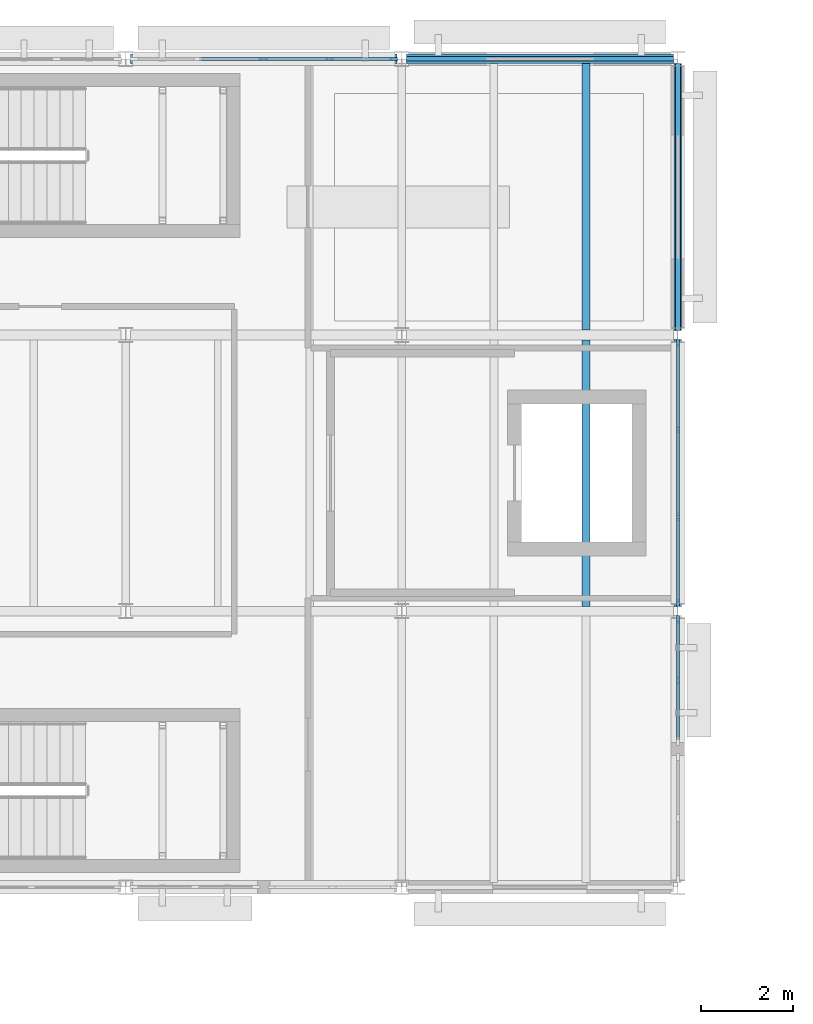
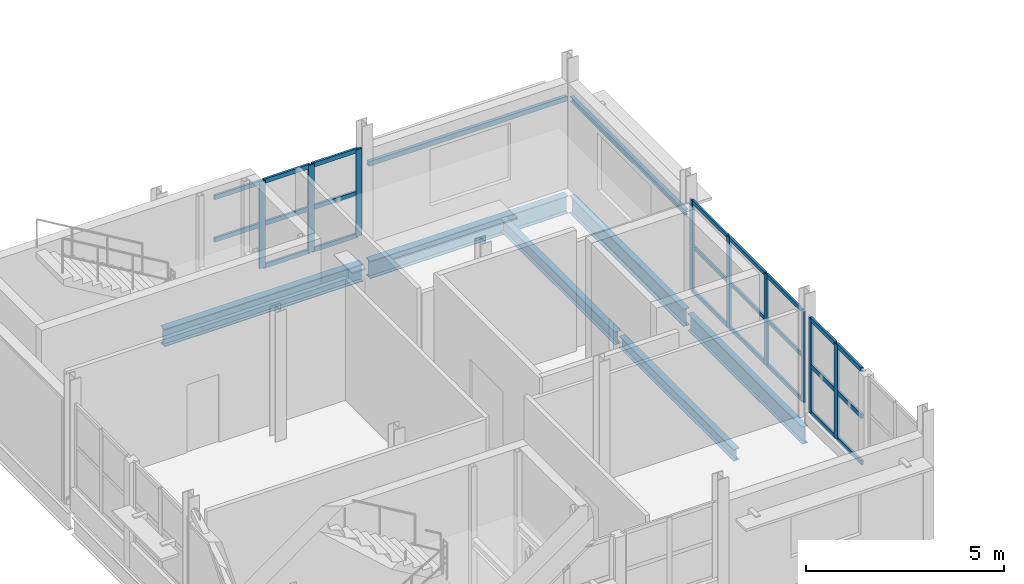
# One storey, part 13 of 45: 32 members, 8 beams, 3 elements without a shape of their own.
"""IFC4 building model written with IfcOpenShell, lengths in metres."""

from ifc_helpers import new_model, si_unit, direction, frame, origin, origin_2d, place, context, subcontext, project, spatial, rectangle, hollow_rectangle, i_section, extrude, material, material_profile, profile_set, type_object, element, aggregate, save


model = new_model("IFC4")

# Units and contexts
model_context = context("Model", 3, precision=1e-05, world=origin(), true_north=direction((0.0, 1.0)))
body_context = subcontext(model_context, "Body", "Model", "MODEL_VIEW")
ifc_project = project(units=[si_unit("LENGTHUNIT", "METRE"), si_unit("AREAUNIT", "SQUARE_METRE"), si_unit("VOLUMEUNIT", "CUBIC_METRE"), si_unit("PLANEANGLEUNIT", "RADIAN"), si_unit("MASSUNIT", "GRAM", prefix="KILO")], contexts=[model_context])

# Site, building, storey
site_placement = place(None, origin())
site = spatial("IfcSite", under=ifc_project, at=site_placement, CompositionType="ELEMENT")
building_placement = place(site_placement, origin())
building = spatial("IfcBuilding", under=site, at=building_placement, Name="Siltcreek Boulevard Central Fire Station", CompositionType="ELEMENT")
storey_placement = place(building_placement, frame((0.0, 0.0, 10.0)))
storey = spatial("IfcBuildingStorey", under=building, at=storey_placement, Name="L03", CompositionType="ELEMENT", Elevation=10.0)

# Beams
ifc_material_1 = material(Name="Structural steel ASTM A992 Gr50", Category="steel")
ifc_material_profile_1 = material_profile(ifc_material_1, i_section(OverallWidth=0.2109375, OverallDepth=0.5390625, WebThickness=0.01171875, FlangeThickness=0.018798828125, at=origin_2d()), Name="W530X109")
ifc_profile_set_1 = profile_set([ifc_material_profile_1], Name="Structural steel ASTM A992 Gr50")
beam_type_1 = type_object("IfcBeamType", Name="BM_W530X109", PredefinedType="BEAM", material=ifc_profile_set_1)
for number, where, z_axis, x_axis, name in (
    (1, (48.10009765625, 112.199951171875, -0.549560546875), (1.0, 0.0, 0.0), (0.0, 1.0, 0.0), "L03 primary steel girder GX-0388"),
    (2, (54.10009765625, 112.199951171875, -0.549560546875), (1.0, 0.0, 0.0), (0.0, 1.0, 0.0), "L03 primary steel girder GX-0389"),
):
    element("IfcBeam", number, at=place(storey_placement, frame(where, z_axis=z_axis, x_axis=x_axis)), inside=storey, type_object=beam_type_1, Name=name, PredefinedType="BEAM", context=body_context, shape_type="SweptSolid", body=[
        extrude(i_section(OverallWidth=0.2109375, OverallDepth=0.5390625, WebThickness=0.01171875, FlangeThickness=0.018798828125, at=origin_2d()), origin(), (0.0, 0.0, 1.0), 5.7998046875),
    ])
ifc_material_profile_2 = material_profile(ifc_material_1, i_section(OverallWidth=0.166015625, OverallDepth=0.534912109375, WebThickness=0.01025390625, FlangeThickness=0.0166015625, at=origin_2d()), Name="W530X85")
ifc_profile_set_2 = profile_set([ifc_material_profile_2], Name="Structural steel ASTM A992 Gr50")
beam_type_2 = type_object("IfcBeamType", Name="BM_W530X85", PredefinedType="BEAM", material=ifc_profile_set_2)
for number, where, z_axis, x_axis, name in (
    (3, (60.0, 100.300048828125, -0.547607421875), (0.0, 1.0, 0.0), (-1.0, 0.0, 0.0), "L03 primary steel girder GY-0398"),
    (4, (60.0, 106.300048828125, -0.547607421875), (0.0, 1.0, 0.0), (-1.0, 0.0, 0.0), "L03 primary steel girder GY-0399"),
):
    element("IfcBeam", number, at=place(storey_placement, frame(where, z_axis=z_axis, x_axis=x_axis)), inside=storey, type_object=beam_type_2, Name=name, PredefinedType="BEAM", context=body_context, shape_type="SweptSolid", body=[
        extrude(i_section(OverallWidth=0.166015625, OverallDepth=0.534912109375, WebThickness=0.01025390625, FlangeThickness=0.0166015625, at=origin_2d()), origin(), (0.0, 0.0, 1.0), 5.800048828125),
    ])

# Curtain wall, members
ifc_material_2 = material(Name="Anodized aluminum and low-E insulated glazing", Category="aluminium")
curtain_wall_type_1 = type_object("IfcCurtainWallType", Name="CW_SYS_26", PredefinedType="USERDEFINED", material=ifc_material_2)
curtain_wall_1_placement = place(storey_placement, origin())
curtain_wall_1 = element("IfcCurtainWall", 5, at=curtain_wall_1_placement, inside=storey, type_object=curtain_wall_type_1, Name="L03 V3 unitised curtain wall CW-055", ObjectType="CURTAIN WALL", PredefinedType="USERDEFINED")
ifc_material_3 = material(Name="Anodized 6063-T6 aluminum framing", Category="aluminium")
ifc_material_profile_3 = material_profile(ifc_material_3, rectangle(XDim=0.06005859375, YDim=0.14990234375, at=origin_2d()), Name="MULL60X150")
ifc_profile_set_3 = profile_set([ifc_material_profile_3], Name="Anodized 6063-T6 aluminum framing")
member_type_1 = type_object("IfcMemberType", Name="CWM_60X150", PredefinedType="MULLION", material=ifc_profile_set_3)
member_1_placement = place(storey_placement, frame((60.0, 100.375, 0.43994140625), z_axis=(0.0, 0.0, 1.0), x_axis=(-1.0, 0.0, 0.0)))
member_1 = element("IfcMember", 6, at=member_1_placement, type_object=member_type_1, Name="CW-055 mullion 1", PredefinedType="MULLION", context=body_context, shape_type="SweptSolid", body=[
    extrude(rectangle(XDim=0.06005859375, YDim=0.14990234375, at=origin_2d()), origin(), (0.0, 0.0, 1.0), 2.81298828125),
])
member_2_placement = place(storey_placement, frame((60.0, 102.248291015625, 0.43994140625), z_axis=(0.0, 0.0, 1.0), x_axis=(-1.0, 0.0, 0.0)))
member_2 = element("IfcMember", 7, at=member_2_placement, type_object=member_type_1, Name="CW-055 mullion 2", PredefinedType="MULLION", context=body_context, shape_type="SweptSolid", body=[
    extrude(rectangle(XDim=0.06005859375, YDim=0.14990234375, at=origin_2d()), origin(), (0.0, 0.0, 1.0), 2.81298828125),
])
member_3_placement = place(storey_placement, frame((60.0, 104.151611328125, 0.43994140625), z_axis=(0.0, 0.0, 1.0), x_axis=(-1.0, 0.0, 0.0)))
member_3 = element("IfcMember", 8, at=member_3_placement, type_object=member_type_1, Name="CW-055 mullion 3", PredefinedType="MULLION", context=body_context, shape_type="SweptSolid", body=[
    extrude(rectangle(XDim=0.06005859375, YDim=0.14990234375, at=origin_2d()), origin(), (0.0, 0.0, 1.0), 2.81298828125),
])
member_4_placement = place(storey_placement, frame((60.0, 106.02490234375, 0.43994140625), z_axis=(0.0, 0.0, 1.0), x_axis=(-1.0, 0.0, 0.0)))
member_4 = element("IfcMember", 9, at=member_4_placement, type_object=member_type_1, Name="CW-055 mullion 4", PredefinedType="MULLION", context=body_context, shape_type="SweptSolid", body=[
    extrude(rectangle(XDim=0.06005859375, YDim=0.14990234375, at=origin_2d()), origin(), (0.0, 0.0, 1.0), 2.81298828125),
])

curtain_wall_type_2 = type_object("IfcCurtainWallType", Name="CW_SYS_21", PredefinedType="USERDEFINED", material=ifc_material_2)
curtain_wall_2_placement = place(storey_placement, origin())
curtain_wall_2 = element("IfcCurtainWall", 10, at=curtain_wall_2_placement, inside=storey, type_object=curtain_wall_type_2, Name="L03 V3 unitised curtain wall CW-050", ObjectType="CURTAIN WALL", PredefinedType="USERDEFINED")
ifc_material_profile_4 = material_profile(ifc_material_3, rectangle(XDim=0.06494140625, YDim=0.175048828125, at=origin_2d()), Name="MULL65X175")
ifc_profile_set_4 = profile_set([ifc_material_profile_4], Name="Anodized 6063-T6 aluminum framing")
member_type_2 = type_object("IfcMemberType", Name="CWM_65X175", PredefinedType="MULLION", material=ifc_profile_set_4)
member_5_placement = place(storey_placement, frame((53.822509765625, 112.199951171875, 0.56005859375), z_axis=(0.0, 0.0, 1.0), x_axis=(0.0, -1.0, 0.0)))
member_5 = element("IfcMember", 11, at=member_5_placement, type_object=member_type_2, Name="CW-050 mullion 1", PredefinedType="MULLION", context=body_context, shape_type="SweptSolid", body=[
    extrude(rectangle(XDim=0.06494140625, YDim=0.175048828125, at=origin_2d()), origin(), (0.0, 0.0, 1.0), 2.68896484375),
])
member_6_placement = place(storey_placement, frame((52.427490234375, 112.199951171875, 0.56005859375), z_axis=(0.0, 0.0, 1.0), x_axis=(0.0, -1.0, 0.0)))
member_6 = element("IfcMember", 12, at=member_6_placement, type_object=member_type_2, Name="CW-050 mullion 2", PredefinedType="MULLION", context=body_context, shape_type="SweptSolid", body=[
    extrude(rectangle(XDim=0.06494140625, YDim=0.175048828125, at=origin_2d()), origin(), (0.0, 0.0, 1.0), 2.68896484375),
])
member_7_placement = place(storey_placement, frame((51.0, 112.199951171875, 0.56005859375), z_axis=(0.0, 0.0, 1.0), x_axis=(0.0, -1.0, 0.0)))
member_7 = element("IfcMember", 13, at=member_7_placement, type_object=member_type_2, Name="CW-050 mullion 3", PredefinedType="MULLION", context=body_context, shape_type="SweptSolid", body=[
    extrude(rectangle(XDim=0.06494140625, YDim=0.175048828125, at=origin_2d()), origin(), (0.0, 0.0, 1.0), 2.68896484375),
])

curtain_wall_type_3 = type_object("IfcCurtainWallType", Name="CW_SYS_25", PredefinedType="USERDEFINED", material=ifc_material_2)
curtain_wall_3_placement = place(storey_placement, origin())
curtain_wall_3 = element("IfcCurtainWall", 14, at=curtain_wall_3_placement, inside=storey, type_object=curtain_wall_type_3, Name="L03 V3 unitised curtain wall CW-054", ObjectType="CURTAIN WALL", PredefinedType="USERDEFINED")
member_8_placement = place(storey_placement, frame((60.0, 98.697509765625, 0.320068359375), z_axis=(0.0, 0.0, 1.0), x_axis=(-1.0, 0.0, 0.0)))
member_8 = element("IfcMember", 15, at=member_8_placement, type_object=member_type_2, Name="CW-054 mullion 2", PredefinedType="MULLION", context=body_context, shape_type="SweptSolid", body=[
    extrude(rectangle(XDim=0.06494140625, YDim=0.175048828125, at=origin_2d()), origin(), (0.0, 0.0, 1.0), 2.932861328125),
])
member_9_placement = place(storey_placement, frame((60.0, 100.0224609375, 0.320068359375), z_axis=(0.0, 0.0, 1.0), x_axis=(-1.0, 0.0, 0.0)))
member_9 = element("IfcMember", 16, at=member_9_placement, type_object=member_type_2, Name="CW-054 mullion 3", PredefinedType="MULLION", context=body_context, shape_type="SweptSolid", body=[
    extrude(rectangle(XDim=0.06494140625, YDim=0.175048828125, at=origin_2d()), origin(), (0.0, 0.0, 1.0), 2.932861328125),
])

# Member
ifc_material_profile_5 = material_profile(ifc_material_3, rectangle(XDim=0.06005859375, YDim=0.114990234375, at=origin_2d()), Name="TRAN60X115")
ifc_profile_set_5 = profile_set([ifc_material_profile_5], Name="Anodized 6063-T6 aluminum framing")
member_type_3 = type_object("IfcMemberType", Name="CWT_60X115", PredefinedType="USERDEFINED", material=ifc_profile_set_5)
member_10_placement = place(storey_placement, frame((60.0, 100.405029296875, 0.469970703125), z_axis=(0.0, 1.0, 0.0), x_axis=(-1.0, 0.0, 0.0)))
member_10 = element("IfcMember", 17, at=member_10_placement, type_object=member_type_3, Name="CW-055 transom 1.1", ObjectType="TRANSOM", PredefinedType="USERDEFINED", context=body_context, shape_type="SweptSolid", body=[
    extrude(rectangle(XDim=0.06005859375, YDim=0.114990234375, at=origin_2d()), origin(), (0.0, 0.0, 1.0), 1.813232421875),
])

member_11_placement = place(storey_placement, frame((60.0, 100.405029296875, 1.846435546875), z_axis=(0.0, 1.0, 0.0), x_axis=(-1.0, 0.0, 0.0)))
member_11 = element("IfcMember", 18, at=member_11_placement, type_object=member_type_3, Name="CW-055 transom 1.2", ObjectType="TRANSOM", PredefinedType="USERDEFINED", context=body_context, shape_type="SweptSolid", body=[
    extrude(rectangle(XDim=0.06005859375, YDim=0.114990234375, at=origin_2d()), origin(), (0.0, 0.0, 1.0), 1.813232421875),
])

member_12_placement = place(storey_placement, frame((60.0, 100.405029296875, 3.222900390625), z_axis=(0.0, 1.0, 0.0), x_axis=(-1.0, 0.0, 0.0)))
member_12 = element("IfcMember", 19, at=member_12_placement, type_object=member_type_3, Name="CW-055 transom 1.3", ObjectType="TRANSOM", PredefinedType="USERDEFINED", context=body_context, shape_type="SweptSolid", body=[
    extrude(rectangle(XDim=0.06005859375, YDim=0.114990234375, at=origin_2d()), origin(), (0.0, 0.0, 1.0), 1.813232421875),
])

member_13_placement = place(storey_placement, frame((60.0, 102.2783203125, 0.469970703125), z_axis=(0.0, 1.0, 0.0), x_axis=(-1.0, 0.0, 0.0)))
member_13 = element("IfcMember", 20, at=member_13_placement, type_object=member_type_3, Name="CW-055 transom 2.1", ObjectType="TRANSOM", PredefinedType="USERDEFINED", context=body_context, shape_type="SweptSolid", body=[
    extrude(rectangle(XDim=0.06005859375, YDim=0.114990234375, at=origin_2d()), origin(), (0.0, 0.0, 1.0), 1.84326171875),
])

member_14_placement = place(storey_placement, frame((60.0, 102.2783203125, 1.846435546875), z_axis=(0.0, 1.0, 0.0), x_axis=(-1.0, 0.0, 0.0)))
member_14 = element("IfcMember", 21, at=member_14_placement, type_object=member_type_3, Name="CW-055 transom 2.2", ObjectType="TRANSOM", PredefinedType="USERDEFINED", context=body_context, shape_type="SweptSolid", body=[
    extrude(rectangle(XDim=0.06005859375, YDim=0.114990234375, at=origin_2d()), origin(), (0.0, 0.0, 1.0), 1.84326171875),
])

member_15_placement = place(storey_placement, frame((60.0, 102.2783203125, 3.222900390625), z_axis=(0.0, 1.0, 0.0), x_axis=(-1.0, 0.0, 0.0)))
member_15 = element("IfcMember", 22, at=member_15_placement, type_object=member_type_3, Name="CW-055 transom 2.3", ObjectType="TRANSOM", PredefinedType="USERDEFINED", context=body_context, shape_type="SweptSolid", body=[
    extrude(rectangle(XDim=0.06005859375, YDim=0.114990234375, at=origin_2d()), origin(), (0.0, 0.0, 1.0), 1.84326171875),
])

member_16_placement = place(storey_placement, frame((60.0, 104.181640625, 0.469970703125), z_axis=(0.0, 1.0, 0.0), x_axis=(-1.0, 0.0, 0.0)))
member_16 = element("IfcMember", 23, at=member_16_placement, type_object=member_type_3, Name="CW-055 transom 3.1", ObjectType="TRANSOM", PredefinedType="USERDEFINED", context=body_context, shape_type="SweptSolid", body=[
    extrude(rectangle(XDim=0.06005859375, YDim=0.114990234375, at=origin_2d()), origin(), (0.0, 0.0, 1.0), 1.8134765625),
])

member_17_placement = place(storey_placement, frame((60.0, 104.181640625, 1.846435546875), z_axis=(0.0, 1.0, 0.0), x_axis=(-1.0, 0.0, 0.0)))
member_17 = element("IfcMember", 24, at=member_17_placement, type_object=member_type_3, Name="CW-055 transom 3.2", ObjectType="TRANSOM", PredefinedType="USERDEFINED", context=body_context, shape_type="SweptSolid", body=[
    extrude(rectangle(XDim=0.06005859375, YDim=0.114990234375, at=origin_2d()), origin(), (0.0, 0.0, 1.0), 1.8134765625),
])

member_18_placement = place(storey_placement, frame((60.0, 104.181640625, 3.222900390625), z_axis=(0.0, 1.0, 0.0), x_axis=(-1.0, 0.0, 0.0)))
member_18 = element("IfcMember", 25, at=member_18_placement, type_object=member_type_3, Name="CW-055 transom 3.3", ObjectType="TRANSOM", PredefinedType="USERDEFINED", context=body_context, shape_type="SweptSolid", body=[
    extrude(rectangle(XDim=0.06005859375, YDim=0.114990234375, at=origin_2d()), origin(), (0.0, 0.0, 1.0), 1.8134765625),
])

aggregate(curtain_wall_1, [member_1, member_2, member_3, member_4, member_10, member_11, member_12, member_13, member_14, member_15, member_16, member_17, member_18])

ifc_material_profile_6 = material_profile(ifc_material_3, rectangle(XDim=0.06494140625, YDim=0.135009765625, at=origin_2d()), Name="TRAN65X135")
ifc_profile_set_6 = profile_set([ifc_material_profile_6], Name="Anodized 6063-T6 aluminum framing")
member_type_4 = type_object("IfcMemberType", Name="CWT_65X135", PredefinedType="USERDEFINED", material=ifc_profile_set_6)
member_19_placement = place(storey_placement, frame((53.7900390625, 112.199951171875, 0.592529296875), z_axis=(-1.0, 0.0, 0.0), x_axis=(0.0, -1.0, 0.0)))
member_19 = element("IfcMember", 26, at=member_19_placement, type_object=member_type_4, Name="CW-050 transom 1.1", ObjectType="TRANSOM", PredefinedType="USERDEFINED", context=body_context, shape_type="SweptSolid", body=[
    extrude(rectangle(XDim=0.06494140625, YDim=0.135009765625, at=origin_2d()), origin(), (0.0, 0.0, 1.0), 1.330078125),
])

member_20_placement = place(storey_placement, frame((53.7900390625, 112.199951171875, 1.904541015625), z_axis=(-1.0, 0.0, 0.0), x_axis=(0.0, -1.0, 0.0)))
member_20 = element("IfcMember", 27, at=member_20_placement, type_object=member_type_4, Name="CW-050 transom 1.2", ObjectType="TRANSOM", PredefinedType="USERDEFINED", context=body_context, shape_type="SweptSolid", body=[
    extrude(rectangle(XDim=0.06494140625, YDim=0.135009765625, at=origin_2d()), origin(), (0.0, 0.0, 1.0), 1.330078125),
])

member_21_placement = place(storey_placement, frame((53.7900390625, 112.199951171875, 3.216552734375), z_axis=(-1.0, 0.0, 0.0), x_axis=(0.0, -1.0, 0.0)))
member_21 = element("IfcMember", 28, at=member_21_placement, type_object=member_type_4, Name="CW-050 transom 1.3", ObjectType="TRANSOM", PredefinedType="USERDEFINED", context=body_context, shape_type="SweptSolid", body=[
    extrude(rectangle(XDim=0.06494140625, YDim=0.135009765625, at=origin_2d()), origin(), (0.0, 0.0, 1.0), 1.330078125),
])

member_22_placement = place(storey_placement, frame((52.39501953125, 112.199951171875, 0.592529296875), z_axis=(-1.0, 0.0, 0.0), x_axis=(0.0, -1.0, 0.0)))
member_22 = element("IfcMember", 29, at=member_22_placement, type_object=member_type_4, Name="CW-050 transom 2.1", ObjectType="TRANSOM", PredefinedType="USERDEFINED", context=body_context, shape_type="SweptSolid", body=[
    extrude(rectangle(XDim=0.06494140625, YDim=0.135009765625, at=origin_2d()), origin(), (0.0, 0.0, 1.0), 1.362548828125),
])

member_23_placement = place(storey_placement, frame((52.39501953125, 112.199951171875, 1.904541015625), z_axis=(-1.0, 0.0, 0.0), x_axis=(0.0, -1.0, 0.0)))
member_23 = element("IfcMember", 30, at=member_23_placement, type_object=member_type_4, Name="CW-050 transom 2.2", ObjectType="TRANSOM", PredefinedType="USERDEFINED", context=body_context, shape_type="SweptSolid", body=[
    extrude(rectangle(XDim=0.06494140625, YDim=0.135009765625, at=origin_2d()), origin(), (0.0, 0.0, 1.0), 1.362548828125),
])

member_24_placement = place(storey_placement, frame((52.39501953125, 112.199951171875, 3.216552734375), z_axis=(-1.0, 0.0, 0.0), x_axis=(0.0, -1.0, 0.0)))
member_24 = element("IfcMember", 31, at=member_24_placement, type_object=member_type_4, Name="CW-050 transom 2.3", ObjectType="TRANSOM", PredefinedType="USERDEFINED", context=body_context, shape_type="SweptSolid", body=[
    extrude(rectangle(XDim=0.06494140625, YDim=0.135009765625, at=origin_2d()), origin(), (0.0, 0.0, 1.0), 1.362548828125),
])

member_25_placement = place(storey_placement, frame((50.967529296875, 112.199951171875, 1.904541015625), z_axis=(-1.0, 0.0, 0.0), x_axis=(0.0, -1.0, 0.0)))
member_25 = element("IfcMember", 32, at=member_25_placement, type_object=member_type_4, Name="CW-050 transom 3.2", ObjectType="TRANSOM", PredefinedType="USERDEFINED", context=body_context, shape_type="SweptSolid", body=[
    extrude(rectangle(XDim=0.06494140625, YDim=0.135009765625, at=origin_2d()), origin(), (0.0, 0.0, 1.0), 1.362548828125),
])

member_26_placement = place(storey_placement, frame((50.967529296875, 112.199951171875, 3.216552734375), z_axis=(-1.0, 0.0, 0.0), x_axis=(0.0, -1.0, 0.0)))
member_26 = element("IfcMember", 33, at=member_26_placement, type_object=member_type_4, Name="CW-050 transom 3.3", ObjectType="TRANSOM", PredefinedType="USERDEFINED", context=body_context, shape_type="SweptSolid", body=[
    extrude(rectangle(XDim=0.06494140625, YDim=0.135009765625, at=origin_2d()), origin(), (0.0, 0.0, 1.0), 1.362548828125),
])

aggregate(curtain_wall_2, [member_5, member_6, member_7, member_19, member_20, member_21, member_22, member_23, member_24, member_25, member_26])

member_27_placement = place(storey_placement, frame((60.0, 97.405029296875, 0.3525390625), z_axis=(0.0, 1.0, 0.0), x_axis=(-1.0, 0.0, 0.0)))
member_27 = element("IfcMember", 34, at=member_27_placement, type_object=member_type_4, Name="CW-054 transom 1.1", ObjectType="TRANSOM", PredefinedType="USERDEFINED", context=body_context, shape_type="SweptSolid", body=[
    extrude(rectangle(XDim=0.06494140625, YDim=0.135009765625, at=origin_2d()), origin(), (0.0, 0.0, 1.0), 1.260009765625),
])

member_28_placement = place(storey_placement, frame((60.0, 97.405029296875, 1.78662109375), z_axis=(0.0, 1.0, 0.0), x_axis=(-1.0, 0.0, 0.0)))
member_28 = element("IfcMember", 35, at=member_28_placement, type_object=member_type_4, Name="CW-054 transom 1.2", ObjectType="TRANSOM", PredefinedType="USERDEFINED", context=body_context, shape_type="SweptSolid", body=[
    extrude(rectangle(XDim=0.06494140625, YDim=0.135009765625, at=origin_2d()), origin(), (0.0, 0.0, 1.0), 1.260009765625),
])

member_29_placement = place(storey_placement, frame((60.0, 97.405029296875, 3.220458984375), z_axis=(0.0, 1.0, 0.0), x_axis=(-1.0, 0.0, 0.0)))
member_29 = element("IfcMember", 36, at=member_29_placement, type_object=member_type_4, Name="CW-054 transom 1.3", ObjectType="TRANSOM", PredefinedType="USERDEFINED", context=body_context, shape_type="SweptSolid", body=[
    extrude(rectangle(XDim=0.06494140625, YDim=0.135009765625, at=origin_2d()), origin(), (0.0, 0.0, 1.0), 1.260009765625),
])

member_30_placement = place(storey_placement, frame((60.0, 98.72998046875, 0.3525390625), z_axis=(0.0, 1.0, 0.0), x_axis=(-1.0, 0.0, 0.0)))
member_30 = element("IfcMember", 37, at=member_30_placement, type_object=member_type_4, Name="CW-054 transom 2.1", ObjectType="TRANSOM", PredefinedType="USERDEFINED", context=body_context, shape_type="SweptSolid", body=[
    extrude(rectangle(XDim=0.06494140625, YDim=0.135009765625, at=origin_2d()), origin(), (0.0, 0.0, 1.0), 1.260009765625),
])

member_31_placement = place(storey_placement, frame((60.0, 98.72998046875, 1.78662109375), z_axis=(0.0, 1.0, 0.0), x_axis=(-1.0, 0.0, 0.0)))
member_31 = element("IfcMember", 38, at=member_31_placement, type_object=member_type_4, Name="CW-054 transom 2.2", ObjectType="TRANSOM", PredefinedType="USERDEFINED", context=body_context, shape_type="SweptSolid", body=[
    extrude(rectangle(XDim=0.06494140625, YDim=0.135009765625, at=origin_2d()), origin(), (0.0, 0.0, 1.0), 1.260009765625),
])

member_32_placement = place(storey_placement, frame((60.0, 98.72998046875, 3.220458984375), z_axis=(0.0, 1.0, 0.0), x_axis=(-1.0, 0.0, 0.0)))
member_32 = element("IfcMember", 39, at=member_32_placement, type_object=member_type_4, Name="CW-054 transom 2.3", ObjectType="TRANSOM", PredefinedType="USERDEFINED", context=body_context, shape_type="SweptSolid", body=[
    extrude(rectangle(XDim=0.06494140625, YDim=0.135009765625, at=origin_2d()), origin(), (0.0, 0.0, 1.0), 1.260009765625),
])

aggregate(curtain_wall_3, [member_8, member_9, member_27, member_28, member_29, member_30, member_31, member_32])

# Beams
ifc_material_profile_7 = material_profile(ifc_material_1, i_section(OverallWidth=0.172119140625, OverallDepth=0.35791015625, WebThickness=0.0078125, FlangeThickness=0.01318359375, at=origin_2d()), Name="W360X57")
ifc_profile_set_7 = profile_set([ifc_material_profile_7], Name="Structural steel ASTM A992 Gr50")
beam_type_3 = type_object("IfcBeamType", Name="JST_W360X57", PredefinedType="JOIST", material=ifc_profile_set_7)
beam_1_placement = place(storey_placement, frame((58.0, 100.303466796875, -0.458984375), z_axis=(0.0, 1.0, 0.0), x_axis=(-1.0, 0.0, 0.0)))
element("IfcBeam", 40, at=beam_1_placement, inside=storey, type_object=beam_type_3, Name="L03 secondary steel floor joist 0348", PredefinedType="JOIST", context=body_context, shape_type="SweptSolid", body=[
    extrude(i_section(OverallWidth=0.172119140625, OverallDepth=0.35791015625, WebThickness=0.0078125, FlangeThickness=0.01318359375, at=origin_2d()), origin(), (0.0, 0.0, 1.0), 5.79296875),
])
ifc_material_profile_8 = material_profile(ifc_material_1, i_section(OverallWidth=0.177001953125, OverallDepth=0.403076171875, WebThickness=0.007568359375, FlangeThickness=0.010986328125, at=origin_2d()), Name="W410X53")
ifc_profile_set_8 = profile_set([ifc_material_profile_8], Name="Structural steel ASTM A992 Gr50")
beam_type_4 = type_object("IfcBeamType", Name="JST_W410X53", PredefinedType="JOIST", material=ifc_profile_set_8)
beam_2_placement = place(storey_placement, frame((58.0, 106.303466796875, -0.4814453125), z_axis=(0.0, 1.0, 0.0), x_axis=(-1.0, 0.0, 0.0)))
element("IfcBeam", 41, at=beam_2_placement, inside=storey, type_object=beam_type_4, Name="L03 secondary steel floor joist 0352", PredefinedType="JOIST", context=body_context, shape_type="SweptSolid", body=[
    extrude(i_section(OverallWidth=0.177001953125, OverallDepth=0.403076171875, WebThickness=0.007568359375, FlangeThickness=0.010986328125, at=origin_2d()), origin(), (0.0, 0.0, 1.0), 5.79296875),
])
ifc_material_4 = material(Name="Structural steel ASTM A500 GrC", Category="steel")
ifc_material_profile_9 = material_profile(ifc_material_4, hollow_rectangle(XDim=0.10009765625, YDim=0.14990234375, WallThickness=0.00634765625, at=origin_2d()), Name="HSS150X100X6.4")
ifc_profile_set_9 = profile_set([ifc_material_profile_9], Name="Structural steel ASTM A500 GrC")
beam_type_5 = type_object("IfcBeamType", Name="LIN_HSS150X100", PredefinedType="LINTEL", material=ifc_profile_set_9)
beam_3_placement = place(storey_placement, frame((59.89990234375, 112.199951171875, 2.68994140625), z_axis=(-1.0, 0.0, 0.0), x_axis=(0.0, -1.0, 0.0)))
element("IfcBeam", 42, at=beam_3_placement, inside=storey, type_object=beam_type_5, Name="Exterior window steel lintel WLN-23", PredefinedType="LINTEL", context=body_context, shape_type="SweptSolid", body=[
    extrude(hollow_rectangle(XDim=0.10009765625, YDim=0.14990234375, WallThickness=0.00634765625, at=origin_2d()), origin(), (0.0, 0.0, 1.0), 5.7998046875),
])
ifc_material_profile_10 = material_profile(ifc_material_1, i_section(OverallWidth=0.10205078125, OverallDepth=0.159912109375, WebThickness=0.006591796875, FlangeThickness=0.01025390625, at=origin_2d()), Name="W150X24")
ifc_profile_set_10 = profile_set([ifc_material_profile_10], Name="Structural steel ASTM A992 Gr50")
beam_type_6 = type_object("IfcBeamType", Name="LIN_W150X24", PredefinedType="LINTEL", material=ifc_profile_set_10)
beam_4_placement = place(storey_placement, frame((60.0, 106.300048828125, 2.68994140625), z_axis=(0.0, 1.0, 0.0), x_axis=(-1.0, 0.0, 0.0)))
element("IfcBeam", 43, at=beam_4_placement, inside=storey, type_object=beam_type_6, Name="Exterior window steel lintel WLN-24", PredefinedType="LINTEL", context=body_context, shape_type="SweptSolid", body=[
    extrude(i_section(OverallWidth=0.10205078125, OverallDepth=0.159912109375, WebThickness=0.006591796875, FlangeThickness=0.01025390625, at=origin_2d()), origin(), (0.0, 0.0, 1.0), 5.800048828125),
])

save(model, "model.ifc")
